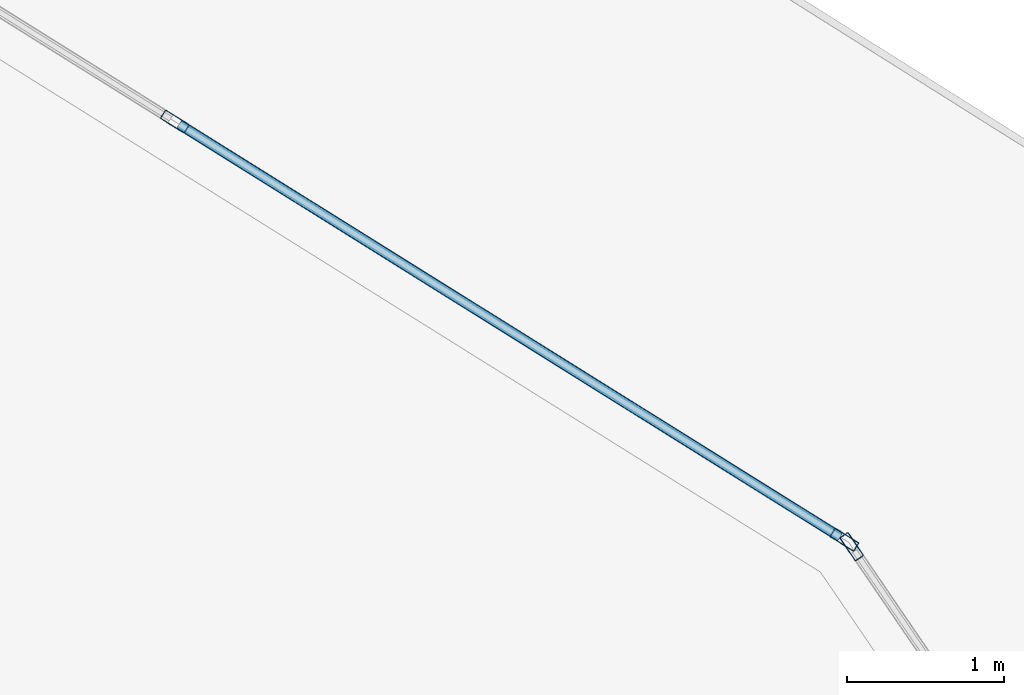
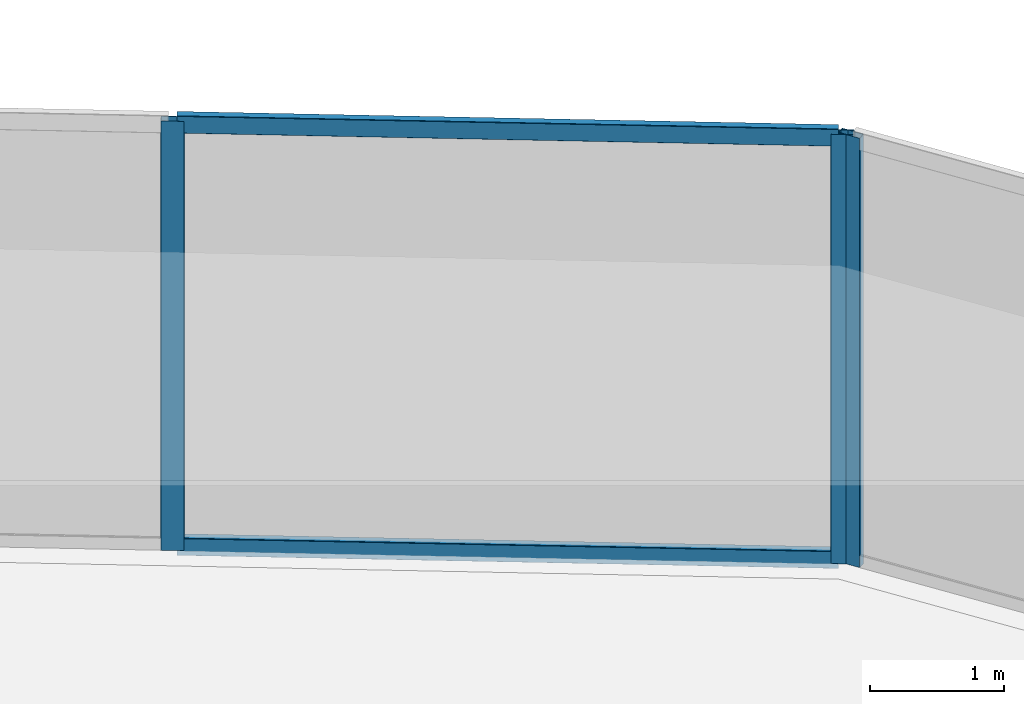
# One storey, part 22 of 42: 5 members, 2 elements without a shape of their own.
"""IFC4 building model written with IfcOpenShell, lengths in metres."""

from ifc_helpers import new_model, si_unit, direction, frame, origin, origin_2d, place, context, subcontext, project, spatial, hollow_rectangle, extrude, material, layer, layer_set, material_profile, profile_set, type_object, element, aggregate, save


model = new_model("IFC4")

# Units and contexts
model_context = context("Model", 3, precision=1e-05, world=origin(), true_north=direction((0.0, 1.0)))
body_context = subcontext(model_context, "Body", "Model", "MODEL_VIEW")
ifc_project = project(units=[si_unit("LENGTHUNIT", "METRE"), si_unit("AREAUNIT", "SQUARE_METRE"), si_unit("VOLUMEUNIT", "CUBIC_METRE"), si_unit("PLANEANGLEUNIT", "RADIAN"), si_unit("MASSUNIT", "GRAM", prefix="KILO")], contexts=[model_context])

# Site, building, storey
site_placement = place(None, origin())
site = spatial("IfcSite", under=ifc_project, at=site_placement, CompositionType="ELEMENT")
building_placement = place(site_placement, origin())
building = spatial("IfcBuilding", under=site, at=building_placement, Name="Qorvath Tower", CompositionType="ELEMENT")
storey_placement = place(building_placement, frame((0.0, 0.0, 32.39990234375)))
storey = spatial("IfcBuildingStorey", under=building, at=storey_placement, Name="L06", CompositionType="ELEMENT", Elevation=32.39990234375)

# Curtain wall, member
ifc_material_1 = material(Name="Anodised aluminium and triple low-E glass", Category="aluminium")
ifc_layer = layer(ifc_material_1, 0.179931640625)
ifc_layer_set = layer_set([ifc_layer], Name="CW-SYS-2")
curtain_wall_type = type_object("IfcCurtainWallType", Name="CW-SYS-2", PredefinedType="NOTDEFINED", material=ifc_layer_set)
curtain_wall_1_placement = place(storey_placement, origin())
curtain_wall_1 = element("IfcCurtainWall", 1, at=curtain_wall_1_placement, inside=storey, type_object=curtain_wall_type, Name="Curtain Wall CW-2 CW-T-L06-13.1", PredefinedType="NOTDEFINED")
ifc_material_2 = material(Name="Anodised aluminium 6063-T6", Category="aluminium")
ifc_material_profile_1 = material_profile(ifc_material_2, hollow_rectangle(XDim=0.06494140625, YDim=0.179931640625, WallThickness=0.00341796875, InnerFilletRadius=0.00341796875, OuterFilletRadius=0.007080078125, at=origin_2d()), Name="CWM 180x65")
ifc_profile_set_1 = profile_set([ifc_material_profile_1], Name="Anodised aluminium 6063-T6")
member_type_1 = type_object("IfcMemberType", Name="CWM-180", PredefinedType="MULLION", material=ifc_profile_set_1)
member_1_placement = place(storey_placement, frame((-1.372802734375, 25.9169921875, 0.0), z_axis=(0.0, 0.0, 1.0), x_axis=(-0.825864059494, -0.563869271406, 0.0)))
member_1 = element("IfcMember", 2, at=member_1_placement, type_object=member_type_1, Name="CW-2 mullion 2", PredefinedType="MULLION", context=body_context, shape_type="SweptSolid", body=[
    extrude(hollow_rectangle(XDim=0.06494140625, YDim=0.179931640625, WallThickness=0.00341796875, InnerFilletRadius=0.00341796875, OuterFilletRadius=0.007080078125, at=origin_2d()), origin(), (0.0, 0.0, 1.0), 3.920166015625),
])
aggregate(curtain_wall_1, [member_1])

# Curtain wall, members
curtain_wall_2_placement = place(storey_placement, origin())
curtain_wall_2 = element("IfcCurtainWall", 3, at=curtain_wall_2_placement, inside=storey, type_object=curtain_wall_type, Name="Curtain Wall CW-2 CW-T-L06-14.1", PredefinedType="NOTDEFINED")
member_2_placement = place(storey_placement, frame((-1.418701171875, 25.9609375, 0.0), z_axis=(0.0, 0.0, 1.0), x_axis=(-0.529769187701, -0.848141855919, 0.0)))
member_2 = element("IfcMember", 4, at=member_2_placement, type_object=member_type_1, Name="CW-2 mullion 1", PredefinedType="MULLION", context=body_context, shape_type="SweptSolid", body=[
    extrude(hollow_rectangle(XDim=0.06494140625, YDim=0.179931640625, WallThickness=0.00341796875, InnerFilletRadius=0.00341796875, OuterFilletRadius=0.007080078125, at=origin_2d()), origin(), (0.0, 0.0, 1.0), 3.920166015625),
])
member_3_placement = place(storey_placement, frame((-5.672119140625, 28.61767578125, 0.0), z_axis=(0.0, 0.0, 1.0), x_axis=(-0.529769187701, -0.848141855919, 0.0)))
member_3 = element("IfcMember", 5, at=member_3_placement, type_object=member_type_1, Name="CW-2 mullion 2", PredefinedType="MULLION", context=body_context, shape_type="SweptSolid", body=[
    extrude(hollow_rectangle(XDim=0.06494140625, YDim=0.179931640625, WallThickness=0.00341796875, InnerFilletRadius=0.00341796875, OuterFilletRadius=0.007080078125, at=origin_2d()), origin(), (0.0, 0.0, 1.0), 3.920166015625),
])
ifc_material_3 = material(Name="Anodised aluminium 6063-T6", Category="aluminium")
ifc_material_profile_2 = material_profile(ifc_material_3, hollow_rectangle(XDim=0.06494140625, YDim=0.159912109375, WallThickness=0.00341796875, InnerFilletRadius=0.00341796875, OuterFilletRadius=0.007080078125, at=origin_2d()), Name="CWT 160x65")
ifc_profile_set_2 = profile_set([ifc_material_profile_2], Name="Anodised aluminium 6063-T6")
member_type_2 = type_object("IfcMemberType", Name="CWT-160", PredefinedType="USERDEFINED", material=ifc_profile_set_2)
member_4_placement = place(storey_placement, frame((-1.4462890625, 25.978271484375, 0.032470703125), z_axis=(-0.848142359621, 0.529768381292, 0.0), x_axis=(-0.529768381292, -0.848142359621, 0.0)))
member_4 = element("IfcMember", 6, at=member_4_placement, type_object=member_type_2, Name="CW-2 transom 1.1", ObjectType="TRANSOM", PredefinedType="USERDEFINED", context=body_context, shape_type="SweptSolid", body=[
    extrude(hollow_rectangle(XDim=0.06494140625, YDim=0.159912109375, WallThickness=0.00341796875, InnerFilletRadius=0.00341796875, OuterFilletRadius=0.007080078125, at=origin_2d()), origin(), (0.0, 0.0, 1.0), 4.949951171875),
])
member_5_placement = place(storey_placement, frame((-1.4462890625, 25.978271484375, 3.8876953125), z_axis=(-0.848142359621, 0.529768381292, 0.0), x_axis=(-0.529768381292, -0.848142359621, 0.0)))
member_5 = element("IfcMember", 7, at=member_5_placement, type_object=member_type_2, Name="CW-2 transom 1.2", ObjectType="TRANSOM", PredefinedType="USERDEFINED", context=body_context, shape_type="SweptSolid", body=[
    extrude(hollow_rectangle(XDim=0.06494140625, YDim=0.159912109375, WallThickness=0.00341796875, InnerFilletRadius=0.00341796875, OuterFilletRadius=0.007080078125, at=origin_2d()), origin(), (0.0, 0.0, 1.0), 4.949951171875),
])
aggregate(curtain_wall_2, [member_2, member_3, member_4, member_5])

save(model, "model.ifc")
